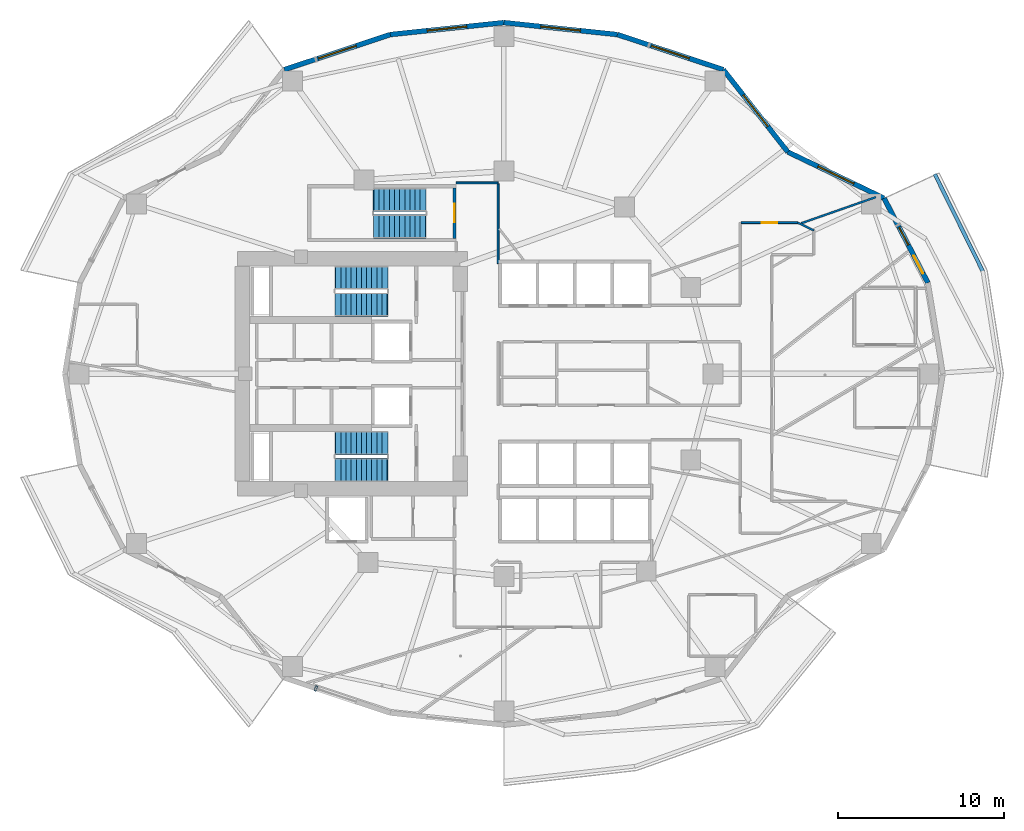
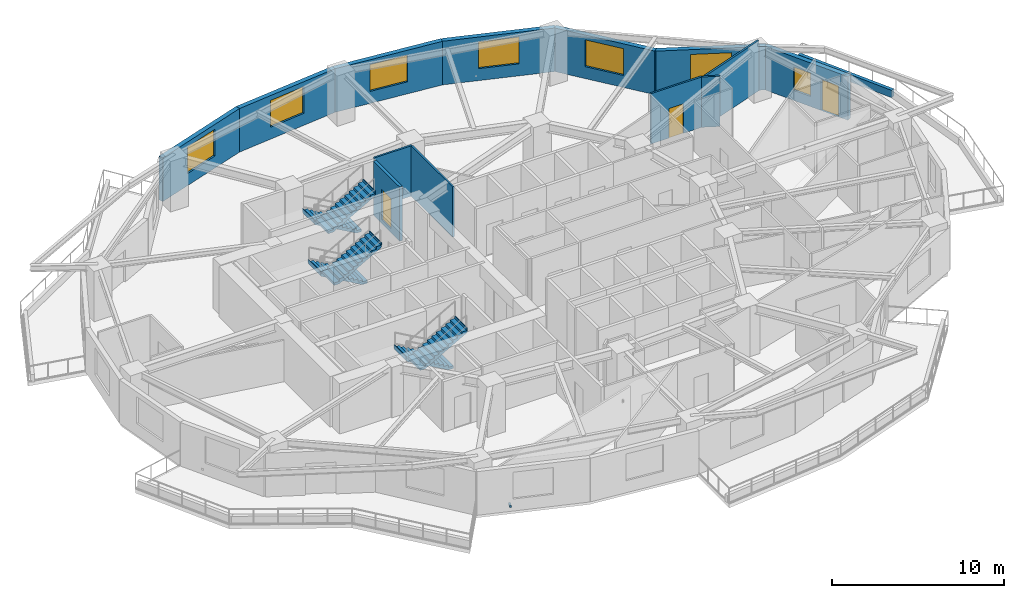
# One storey, part 7 of 15: 14 walls, 7 windows, 6 stair flights, 3 doors, 1 discrete accessory, 10 openings, 3 elements without a shape of their own.
"""IFC4 building model written with IfcOpenShell, lengths in metres."""

import ifcopenshell
import ifcopenshell.guid

model = None  # the IFC model being written
_history = None  # IfcOwnerHistory: only IFC2X3 demands one
_inside = {}  # id of a spatial element -> (the spatial element, [elements in it])
_under = {}  # id of a project, library or spatial element -> (it, [spatial elements below it])
_declared = {}  # id of a project -> (the project, [libraries it declares])
_typed = {}  # id of a type object -> (the type object, [elements of that type])
_made_of = {}  # id of a material, layer set ... -> (it, [elements and type objects made of it])


def new_model(schema):
    """Start an empty IFC model of exactly this schema.

    Asked for "IFC4X3", IfcOpenShell would pick the latest addendum, in which some entities
    have other attributes; the version numbers below select the first issue.
    IFC2X3 requires an IfcOwnerHistory on every rooted entity: one is made here for all.
    """
    global model, _history
    if schema == "IFC4X3":
        model = ifcopenshell.file(schema_version=(4, 3, 0, 0))
    else:
        model = ifcopenshell.file(schema=schema)
    _inside.clear()
    _under.clear()
    _declared.clear()
    _typed.clear()
    _made_of.clear()
    _history = None
    if model.schema == "IFC2X3":
        org = make("IfcOrganization", Name="unknown")
        user = make(
            "IfcPersonAndOrganization",
            ThePerson=make("IfcPerson", FamilyName="unknown"),
            TheOrganization=org,
        )
        app = make(
            "IfcApplication",
            ApplicationDeveloper=org,
            Version="unknown",
            ApplicationFullName="unknown",
            ApplicationIdentifier="unknown",
        )
        _history = make(
            "IfcOwnerHistory",
            OwningUser=user,
            OwningApplication=app,
            ChangeAction="ADDED",
            CreationDate=0,
        )
    return model


def make(cls, **values):
    """One entity of the class cls with the attributes given. An attribute that is None is left unset."""
    return model.create_entity(
        cls, **{name: value for name, value in values.items() if value is not None}
    )


def rooted(cls, **values):
    """An entity with a GlobalId (a new one), such as an element, a storey or a relation."""
    return make(cls, GlobalId=ifcopenshell.guid.new(), OwnerHistory=_history, **values)


def si_unit(unit_type, name, prefix=None):
    """IfcSIUnit, for example si_unit("LENGTHUNIT", "METRE", prefix="MILLI")."""
    return make("IfcSIUnit", UnitType=unit_type, Prefix=prefix, Name=name)


def assignment(units):
    """IfcUnitAssignment: the units of a project."""
    return None if units is None else make("IfcUnitAssignment", Units=units)


def point(xyz):
    """IfcCartesianPoint."""
    return None if xyz is None else make("IfcCartesianPoint", Coordinates=xyz)


def direction(xyz):
    """IfcDirection."""
    return None if xyz is None else make("IfcDirection", DirectionRatios=xyz)


def frame(location, z_axis=None, x_axis=None):
    """IfcAxis2Placement3D, a coordinate frame: its origin and axes. An axis left out is left unset."""
    return make(
        "IfcAxis2Placement3D",
        Location=point(location),
        Axis=direction(z_axis),
        RefDirection=direction(x_axis),
    )


def frame_2d(location, x_axis=None):
    """IfcAxis2Placement2D, a coordinate frame in the plane: its origin and x axis."""
    return make(
        "IfcAxis2Placement2D", Location=point(location), RefDirection=direction(x_axis)
    )


def origin():
    """The frame at (0, 0, 0) with its axes left unset."""
    return frame((0.0, 0.0, 0.0))


def origin_2d():
    """The frame at (0, 0) in the plane with its x axis left unset."""
    return frame_2d((0.0, 0.0))


def place(relative_to, where):
    """IfcLocalPlacement: puts the frame where relative to a parent placement (None: the world)."""
    return make(
        "IfcLocalPlacement", PlacementRelTo=relative_to, RelativePlacement=where
    )


def context(
    kind, dimensions, precision=None, world=None, true_north=None, identifier=None
):
    """IfcGeometricRepresentationContext, for example the 3D "Model" context."""
    return make(
        "IfcGeometricRepresentationContext",
        ContextIdentifier=identifier,
        ContextType=kind,
        CoordinateSpaceDimension=dimensions,
        Precision=precision,
        WorldCoordinateSystem=world,
        TrueNorth=true_north,
    )


def subcontext(parent, identifier, kind, view, scale=None):
    """IfcGeometricRepresentationSubContext, for example "Body" below "Model"."""
    return make(
        "IfcGeometricRepresentationSubContext",
        ContextIdentifier=identifier,
        ContextType=kind,
        ParentContext=parent,
        TargetScale=scale,
        TargetView=view,
    )


def project(units=None, contexts=None):
    """IfcProject with its units and contexts."""
    return rooted(
        "IfcProject",
        Name="project",
        RepresentationContexts=contexts,
        UnitsInContext=assignment(units),
    )


def spatial(cls, under=None, at=None, **own):
    """A site, building, storey or space (cls), placed at a placement, below another one or the project."""
    s = rooted(cls, ObjectPlacement=at, **own)
    if under is not None:
        _under.setdefault(under.id(), (under, []))[1].append(s)
    return s


def polyline(points):
    """IfcPolyline through the points."""
    return make("IfcPolyline", Points=[point(p) for p in points])


def profile(cls, at=None, kind="AREA", **sizes):
    """A parametric profile (cls). Its sizes go by their IFC names, for example OverallWidth=200.0."""
    return make(cls, ProfileType=kind, Position=at, **sizes)


def rectangle(**sizes):
    """IfcRectangleProfileDef."""
    return profile("IfcRectangleProfileDef", **sizes)


def outline(outer, holes=None, kind="AREA"):
    """IfcArbitraryClosedProfileDef: a profile drawn as a closed curve; with holes, ...WithVoids."""
    if holes is None:
        return make("IfcArbitraryClosedProfileDef", ProfileType=kind, OuterCurve=outer)
    return make(
        "IfcArbitraryProfileDefWithVoids",
        ProfileType=kind,
        OuterCurve=outer,
        InnerCurves=holes,
    )


def extrude(swept, where, along, depth):
    """IfcExtrudedAreaSolid: the profile swept, set in the frame where, extruded along a direction by depth."""
    return make(
        "IfcExtrudedAreaSolid",
        SweptArea=swept,
        Position=where,
        ExtrudedDirection=direction(along),
        Depth=depth,
    )


def shape(context_of_items, identifier, shape_type, items):
    """IfcShapeRepresentation: the items that make up one representation, for example the "Body"."""
    return make(
        "IfcShapeRepresentation",
        ContextOfItems=context_of_items,
        RepresentationIdentifier=identifier,
        RepresentationType=shape_type,
        Items=items,
    )


def material(Name=None, Category=None):
    """IfcMaterial."""
    return make("IfcMaterial", Name=Name, Category=Category)


def layer(
    of_material, thickness, ventilated=None, Name=None, Category=None, Priority=None
):
    """IfcMaterialLayer: one layer of a wall or slab, of a material (None: an air gap)."""
    return make(
        "IfcMaterialLayer",
        Material=of_material,
        LayerThickness=thickness,
        IsVentilated=ventilated,
        Name=Name,
        Category=Category,
        Priority=Priority,
    )


def layer_set(layers, Name=None):
    """IfcMaterialLayerSet."""
    return make("IfcMaterialLayerSet", MaterialLayers=layers, LayerSetName=Name)


def made_of(thing, what):
    """Note that an element or type object is made of a material, layer set ...; save() writes the relation."""
    if what is not None:
        _made_of.setdefault(what.id(), (what, []))[1].append(thing)
    return thing


def type_object(cls, material=None, **own):
    """A type object (cls), such as IfcWallType, which elements share."""
    return made_of(rooted(cls, **own), material)


def element(
    cls,
    number,
    at=None,
    inside=None,
    cuts=None,
    type_object=None,
    material=None,
    context=None,
    identifier="Body",
    shape_type=None,
    held_by="IfcProductDefinitionShape",
    body=None,
    shapes=None,
    **own,
):
    """One element of the class cls, such as IfcWall. Its Tag is "e" and its number.

    at: its placement. inside: the storey or other place that contains it. cuts: it is an
    opening in that element (IfcRelVoidsElement). A single representation is given by context,
    identifier, shape_type and body (its items); several are given by shapes. held_by: the class
    of the entity that holds the representations. save() writes the other relations.
    """
    e = rooted(cls, Tag="e%d" % number, ObjectPlacement=at, **own)
    if body is not None:
        shapes = [shape(context, identifier, shape_type, body)]
    if shapes is not None:
        e.Representation = make(held_by, Representations=shapes)
    if inside is not None:
        _inside.setdefault(inside.id(), (inside, []))[1].append(e)
    if cuts is not None:
        rooted(
            "IfcRelVoidsElement", RelatingBuildingElement=cuts, RelatedOpeningElement=e
        )
    if type_object is not None:
        _typed.setdefault(type_object.id(), (type_object, []))[1].append(e)
    return made_of(e, material)


def fill(opening, filler):
    """IfcRelFillsElement: the door or window that sits in an opening."""
    return rooted(
        "IfcRelFillsElement",
        RelatingOpeningElement=opening,
        RelatedBuildingElement=filler,
    )


def aggregate(whole, parts):
    """IfcRelAggregates: a whole, such as a stair, and the parts it consists of."""
    return rooted("IfcRelAggregates", RelatingObject=whole, RelatedObjects=parts)


def save(model, path):
    """Write the relations noted so far, then the file.

    IfcRelAggregates (storeys below a building ...), IfcRelContainedInSpatialStructure (elements
    in a storey), IfcRelDefinesByType, IfcRelAssociatesMaterial and IfcRelDeclares: one each for
    every whole, place, type object, material and project.
    """
    for whole, parts in _under.values():
        aggregate(whole, parts)
    for where, things in _inside.values():
        rooted(
            "IfcRelContainedInSpatialStructure",
            RelatedElements=things,
            RelatingStructure=where,
        )
    for kind, things in _typed.values():
        rooted("IfcRelDefinesByType", RelatedObjects=things, RelatingType=kind)
    for what, things in _made_of.values():
        rooted("IfcRelAssociatesMaterial", RelatedObjects=things, RelatingMaterial=what)
    for by, libraries in _declared.values():
        rooted("IfcRelDeclares", RelatingContext=by, RelatedDefinitions=libraries)
    model.write(path)


model = new_model("IFC4")

# Units and contexts
model_context = context("Model", 3, precision=1e-05, world=origin(), true_north=direction((0.0, 1.0)))
body_context = subcontext(model_context, "Body", "Model", "MODEL_VIEW")
ifc_project = project(units=[si_unit("LENGTHUNIT", "METRE"), si_unit("AREAUNIT", "SQUARE_METRE"), si_unit("VOLUMEUNIT", "CUBIC_METRE"), si_unit("PLANEANGLEUNIT", "RADIAN"), si_unit("MASSUNIT", "GRAM", prefix="KILO")], contexts=[model_context])

# Site, building, storey
site_placement = place(None, origin())
site = spatial("IfcSite", under=ifc_project, at=site_placement, CompositionType="ELEMENT")
building_placement = place(site_placement, origin())
building = spatial("IfcBuilding", under=site, at=building_placement, Name="Kolvaren Gate Tower and Convention Centre", CompositionType="ELEMENT")
storey_placement = place(building_placement, frame((0.0, 0.0, 72.699951171875)))
storey = spatial("IfcBuildingStorey", under=building, at=storey_placement, Name="L17", CompositionType="ELEMENT", Elevation=72.699951171875)

# Walls
ifc_material_1 = material(Name="Fire-Rated Acoustic Gypsum Stud Partition", Category="gypsum")
ifc_layer_1 = layer(ifc_material_1, 0.1201171875)
ifc_layer_set_1 = layer_set([ifc_layer_1], Name="Fire-Rated Acoustic Gypsum Stud Partition")
wall_type_1 = type_object("IfcWallType", Name="ARCH-WL-PART-120", PredefinedType="PARTITIONING", material=ifc_layer_set_1)
wall_1_placement = place(storey_placement, frame((27.25, 38.5, 0.0), z_axis=(0.0, 0.0, 1.0), x_axis=(1.0, 0.0, 0.0)))
element("IfcWall", 1, at=wall_1_placement, inside=storey, type_object=wall_type_1, Name="Interior Partition WL-L17-INT-027", PredefinedType="PARTITIONING", context=body_context, shape_type="SweptSolid", body=[
    extrude(rectangle(XDim=2.530029296875, YDim=0.1201171875, at=frame_2d((1.26513671875, 0.0))), origin(), (0.0, 0.0, 1.0), 3.570068359375),
])
wall_2_placement = place(storey_placement, frame((29.780029296875, 33.639892578125, 0.0), z_axis=(0.0, 0.0, 1.0), x_axis=(0.0, 1.0, 0.0)))
element("IfcWall", 2, at=wall_2_placement, inside=storey, type_object=wall_type_1, Name="Interior Partition WL-L17-INT-030", PredefinedType="PARTITIONING", context=body_context, shape_type="SweptSolid", body=[
    extrude(rectangle(XDim=4.798095703125, YDim=0.1201171875, at=frame_2d((2.39892578125, 0.0))), origin(), (0.0, 0.0, 1.0), 3.570068359375),
])

# Wall, opening, door
wall_3_placement = place(storey_placement, frame((44.412109375, 36.10009765625, 0.0), z_axis=(0.0, 0.0, 1.0), x_axis=(1.0, 0.0, 0.0)))
wall_3 = element("IfcWall", 3, at=wall_3_placement, inside=storey, type_object=wall_type_1, Name="Interior Partition WL-L17-INT-035", PredefinedType="PARTITIONING", context=body_context, shape_type="SweptSolid", body=[
    extrude(rectangle(XDim=3.411865234375, YDim=0.1201171875, at=frame_2d((1.7060546875, 0.0))), origin(), (0.0, 0.0, 1.0), 3.570068359375),
])
opening_1_placement = place(wall_3_placement, frame((1.23095703125, 0.0, 0.0)))
opening_1 = element("IfcOpeningElement", 4, at=opening_1_placement, cuts=wall_3, Name="Opening DR-01", PredefinedType="OPENING", context=body_context, shape_type="SweptSolid", body=[
    extrude(rectangle(XDim=0.949951171875, YDim=2.10009765625, at=frame_2d((0.47509765625, 1.050048828125))), frame((0.0, 0.070068359375, 0.0), z_axis=(0.0, -1.0, 0.0), x_axis=(1.0, 0.0, 0.0)), (0.0, 0.0, 1.0), 0.14013671875),
])
ifc_material_2 = material(Name="Painted Architectural Steelwork ASTM A500 Grade C 345 MPa", Category="steel")
door_type_1 = type_object("IfcDoorType", Name="ARCH-DR-RISER-950", OperationType="SINGLE_SWING_RIGHT", PredefinedType="DOOR", material=ifc_material_2)
door_1_placement = place(opening_1_placement, origin())
door_1 = element("IfcDoor", 5, at=door_1_placement, inside=storey, type_object=door_type_1, Name="Open-Plan Office Suite Door", OperationType="SINGLE_SWING_RIGHT", OverallHeight=2.10009765625, OverallWidth=0.949951171875, PredefinedType="DOOR", context=body_context, shape_type="SweptSolid", body=[
    extrude(rectangle(XDim=0.949951171875, YDim=2.10009765625, at=frame_2d((0.47509765625, 1.050048828125))), frame((0.0, 0.02490234375, 0.0), z_axis=(0.0, -1.0, 0.0), x_axis=(1.0, 0.0, 0.0)), (0.0, 0.0, 1.0), 0.050048828125),
])
fill(opening_1, door_1)

# Walls
wall_4_placement = place(storey_placement, frame((47.823974609375, 36.10009765625, 0.0), z_axis=(0.0, 0.0, 1.0), x_axis=(0.901350599951, -0.433090170712, 0.0)))
element("IfcWall", 6, at=wall_4_placement, inside=storey, type_object=wall_type_1, Name="Interior Partition WL-L17-INT-036", PredefinedType="PARTITIONING", context=body_context, shape_type="SweptSolid", body=[
    extrude(rectangle(XDim=1.0830078125, YDim=0.1201171875, at=frame_2d((0.54150390625, 0.0))), origin(), (0.0, 0.0, 1.0), 3.570068359375),
])
wall_5_placement = place(storey_placement, frame((48.037841796875, 36.06591796875, 0.0), z_axis=(0.0, 0.0, 1.0), x_axis=(0.943787214576, 0.330553616836, 0.0)))
element("IfcWall", 7, at=wall_5_placement, inside=storey, type_object=wall_type_1, Name="Interior Partition WL-L17-INT-072", PredefinedType="PARTITIONING", context=body_context, shape_type="SweptSolid", body=[
    extrude(rectangle(XDim=4.76318359375, YDim=0.1201171875, at=frame_2d((2.381591796875, 0.0))), origin(), (0.0, 0.0, 1.0), 3.570068359375),
])
ifc_material_3 = material(Name="Piedmont Cream Honed Limestone Cladding", Category="masonry")
ifc_layer_2 = layer(ifc_material_3, 0.219970703125)
ifc_layer_set_2 = layer_set([ifc_layer_2], Name="Piedmont Cream Honed Limestone Cladding")
wall_type_2 = type_object("IfcWallType", Name="ARCH-WL-PLANTER-220", PredefinedType="PARAPET", material=ifc_layer_set_2)
wall_6_placement = place(storey_placement, frame((56.077392578125, 39.021484375, 0.0), z_axis=(0.0, 0.0, 1.0), x_axis=(0.442686636348, -0.89667638644, 0.0)))
element("IfcWall", 8, at=wall_6_placement, inside=storey, type_object=wall_type_2, Name="Vertical-Forest Balcony Stone Planter Kerb PK-L17-4.3", PredefinedType="PARAPET", context=body_context, shape_type="SweptSolid", body=[
    extrude(rectangle(XDim=6.544677734375, YDim=0.219970703125, at=frame_2d((3.2724609375, 0.0))), origin(), (0.0, 0.0, 1.0), 0.52001953125),
])

# Wall, openings, door, window
ifc_layer_3 = layer(ifc_material_3, 0.300048828125)
ifc_layer_set_3 = layer_set([ifc_layer_3], Name="Piedmont Cream Honed Limestone Cladding")
wall_type_3 = type_object("IfcWallType", Name="ARCH-WL-STONE-300", PredefinedType="SOLIDWALL", material=ifc_layer_set_3)
wall_7_placement = place(storey_placement, frame((53.0205078125, 37.574951171875, 0.0), z_axis=(0.0, 0.0, 1.0), x_axis=(0.459800981414, -0.888021991558, 0.0)))
wall_7 = element("IfcWall", 9, at=wall_7_placement, inside=storey, type_object=wall_type_3, Name="Tower L17 Honed Stone Spandrel Wall EW-01", PredefinedType="SOLIDWALL", context=body_context, shape_type="SweptSolid", body=[
    extrude(rectangle(XDim=5.744140625, YDim=0.300048828125, at=frame_2d((2.8720703125, 0.0))), origin(), (0.0, 0.0, 1.0), 3.093017578125),
])
opening_2_placement = place(wall_7_placement, frame((3.89990234375, 0.0, 0.0)))
opening_2 = element("IfcOpeningElement", 10, at=opening_2_placement, cuts=wall_7, Name="Opening DB-02", PredefinedType="OPENING", context=body_context, shape_type="SweptSolid", body=[
    extrude(rectangle(XDim=1.199951171875, YDim=2.199951171875, at=frame_2d((0.60009765625, 1.10009765625))), frame((0.0, 0.159912109375, 0.0), z_axis=(0.0, -1.0, 0.0), x_axis=(1.0, 0.0, 0.0)), (0.0, 0.0, 1.0), 0.320068359375),
])
opening_3_placement = place(wall_7_placement, frame((1.97998046875, 0.0, 0.719970703125)))
opening_3 = element("IfcOpeningElement", 11, at=opening_3_placement, cuts=wall_7, Name="Opening W-04", PredefinedType="OPENING", context=body_context, shape_type="SweptSolid", body=[
    extrude(rectangle(XDim=1.199951171875, YDim=1.64990234375, at=frame_2d((0.60009765625, 0.824951171875))), frame((0.0, 0.159912109375, 0.0), z_axis=(0.0, -1.0, 0.0), x_axis=(1.0, 0.0, 0.0)), (0.0, 0.0, 1.0), 0.320068359375),
])
ifc_material_4 = material(Name="Anodized Architectural Aluminium Alloy 6063-T6", Category="aluminium")
door_type_2 = type_object("IfcDoorType", Name="ARCH-DR-BALC-1200", OperationType="NOTDEFINED", PredefinedType="DOOR", material=ifc_material_4)
door_2_placement = place(opening_2_placement, origin())
door_2 = element("IfcDoor", 12, at=door_2_placement, inside=storey, type_object=door_type_2, Name="Planted Sky Terrace Access Door DB-L17-00", OperationType="SLIDING_TO_LEFT", OverallHeight=2.199951171875, OverallWidth=1.199951171875, PredefinedType="DOOR", context=body_context, shape_type="SweptSolid", body=[
    extrude(rectangle(XDim=1.199951171875, YDim=2.199951171875, at=frame_2d((0.60009765625, 1.10009765625))), frame((0.0, 0.02490234375, 0.0), z_axis=(0.0, -1.0, 0.0), x_axis=(1.0, 0.0, 0.0)), (0.0, 0.0, 1.0), 0.050048828125),
])
fill(opening_2, door_2)
ifc_material_5 = material(Name="Low-E Triple Insulated Glazing Unit 44 mm", Category="glass")
window_type_1 = type_object("IfcWindowType", Name="ARCH-WN-NARROW-1200", PartitioningType="SINGLE_PANEL", PredefinedType="WINDOW", material=ifc_material_5)
window_1_placement = place(opening_3_placement, origin())
window_1 = element("IfcWindow", 13, at=window_1_placement, inside=storey, type_object=window_type_1, Name="Tower L17 Punched Stone Facade Window W-01", OverallHeight=1.64990234375, OverallWidth=1.199951171875, PartitioningType="SINGLE_PANEL", PredefinedType="WINDOW", context=body_context, shape_type="SweptSolid", body=[
    extrude(rectangle(XDim=1.199951171875, YDim=1.64990234375, at=frame_2d((0.60009765625, 0.824951171875))), frame((0.0, 0.030029296875, 0.0), z_axis=(0.0, -1.0, 0.0), x_axis=(1.0, 0.0, 0.0)), (0.0, 0.0, 1.0), 0.06005859375),
])
fill(opening_3, window_1)

# Wall, opening, window
wall_8_placement = place(storey_placement, frame((47.223876953125, 40.360107421875, 0.0), z_axis=(0.0, 0.0, 1.0), x_axis=(0.901354747727, -0.433081538224, 0.0)))
wall_8 = element("IfcWall", 14, at=wall_8_placement, inside=storey, type_object=wall_type_3, Name="Tower L17 Honed Stone Spandrel Wall EW-02", PredefinedType="SOLIDWALL", context=body_context, shape_type="SweptSolid", body=[
    extrude(rectangle(XDim=6.430908203125, YDim=0.300048828125, at=frame_2d((3.21533203125, 0.0))), origin(), (0.0, 0.0, 1.0), 3.093017578125),
])
opening_4_placement = place(wall_8_placement, frame((2.014892578125, 0.0, 0.85009765625)))
opening_4 = element("IfcOpeningElement", 15, at=opening_4_placement, cuts=wall_8, Name="Opening W-01", PredefinedType="OPENING", context=body_context, shape_type="SweptSolid", body=[
    extrude(rectangle(XDim=2.39990234375, YDim=1.89990234375, at=frame_2d((1.199951171875, 0.949951171875))), frame((0.0, 0.159912109375, 0.0), z_axis=(0.0, -1.0, 0.0), x_axis=(1.0, 0.0, 0.0)), (0.0, 0.0, 1.0), 0.320068359375),
])
window_type_2 = type_object("IfcWindowType", Name="ARCH-WN-OFF-2400", PartitioningType="SINGLE_PANEL", PredefinedType="WINDOW", material=ifc_material_5)
window_2_placement = place(opening_4_placement, origin())
window_2 = element("IfcWindow", 16, at=window_2_placement, inside=storey, type_object=window_type_2, Name="Tower L17 Punched Stone Facade Window W-02", OverallHeight=1.89990234375, OverallWidth=2.39990234375, PartitioningType="SINGLE_PANEL", PredefinedType="WINDOW", context=body_context, shape_type="SweptSolid", body=[
    extrude(rectangle(XDim=2.39990234375, YDim=1.89990234375, at=frame_2d((1.199951171875, 0.949951171875))), frame((0.0, 0.030029296875, 0.0), z_axis=(0.0, -1.0, 0.0), x_axis=(1.0, 0.0, 0.0)), (0.0, 0.0, 1.0), 0.06005859375),
])
fill(opening_4, window_2)

wall_9_placement = place(storey_placement, frame((43.34375, 45.31640625, 0.0), z_axis=(0.0, 0.0, 1.0), x_axis=(0.616434798832, -0.78740595552, 0.0)))
wall_9 = element("IfcWall", 17, at=wall_9_placement, inside=storey, type_object=wall_type_3, Name="Tower L17 Honed Stone Spandrel Wall EW-03", PredefinedType="SOLIDWALL", context=body_context, shape_type="SweptSolid", body=[
    extrude(rectangle(XDim=6.29443359375, YDim=0.300048828125, at=frame_2d((3.147216796875, 0.0))), origin(), (0.0, 0.0, 1.0), 3.093017578125),
])
opening_5_placement = place(wall_9_placement, frame((1.947021484375, 0.0, 0.85009765625)))
opening_5 = element("IfcOpeningElement", 18, at=opening_5_placement, cuts=wall_9, Name="Opening W-01", PredefinedType="OPENING", context=body_context, shape_type="SweptSolid", body=[
    extrude(rectangle(XDim=2.39990234375, YDim=1.89990234375, at=frame_2d((1.199951171875, 0.949951171875))), frame((0.0, 0.159912109375, 0.0), z_axis=(0.0, -1.0, 0.0), x_axis=(1.0, 0.0, 0.0)), (0.0, 0.0, 1.0), 0.320068359375),
])
window_3_placement = place(opening_5_placement, origin())
window_3 = element("IfcWindow", 19, at=window_3_placement, inside=storey, type_object=window_type_2, Name="Tower L17 Punched Stone Facade Window W-03", OverallHeight=1.89990234375, OverallWidth=2.39990234375, PartitioningType="SINGLE_PANEL", PredefinedType="WINDOW", context=body_context, shape_type="SweptSolid", body=[
    extrude(rectangle(XDim=2.39990234375, YDim=1.89990234375, at=frame_2d((1.199951171875, 0.949951171875))), frame((0.0, 0.030029296875, 0.0), z_axis=(0.0, -1.0, 0.0), x_axis=(1.0, 0.0, 0.0)), (0.0, 0.0, 1.0), 0.06005859375),
])
fill(opening_5, window_3)

wall_10_placement = place(storey_placement, frame((36.967529296875, 47.42919921875, 0.0), z_axis=(0.0, 0.0, 1.0), x_axis=(0.949245153629, -0.314537181127, 0.0)))
wall_10 = element("IfcWall", 20, at=wall_10_placement, inside=storey, type_object=wall_type_3, Name="Tower L17 Honed Stone Spandrel Wall EW-04", PredefinedType="SOLIDWALL", context=body_context, shape_type="SweptSolid", body=[
    extrude(rectangle(XDim=6.717041015625, YDim=0.300048828125, at=frame_2d((3.3583984375, 0.0))), origin(), (0.0, 0.0, 1.0), 3.093017578125),
])
opening_6_placement = place(wall_10_placement, frame((2.158935546875, 0.0, 0.85009765625)))
opening_6 = element("IfcOpeningElement", 21, at=opening_6_placement, cuts=wall_10, Name="Opening W-01", PredefinedType="OPENING", context=body_context, shape_type="SweptSolid", body=[
    extrude(rectangle(XDim=2.39990234375, YDim=1.89990234375, at=frame_2d((1.199951171875, 0.949951171875))), frame((0.0, 0.159912109375, 0.0), z_axis=(0.0, -1.0, 0.0), x_axis=(1.0, 0.0, 0.0)), (0.0, 0.0, 1.0), 0.320068359375),
])
window_4_placement = place(opening_6_placement, origin())
window_4 = element("IfcWindow", 22, at=window_4_placement, inside=storey, type_object=window_type_2, Name="Tower L17 Punched Stone Facade Window W-04", OverallHeight=1.89990234375, OverallWidth=2.39990234375, PartitioningType="SINGLE_PANEL", PredefinedType="WINDOW", context=body_context, shape_type="SweptSolid", body=[
    extrude(rectangle(XDim=2.39990234375, YDim=1.89990234375, at=frame_2d((1.199951171875, 0.949951171875))), frame((0.0, 0.030029296875, 0.0), z_axis=(0.0, -1.0, 0.0), x_axis=(1.0, 0.0, 0.0)), (0.0, 0.0, 1.0), 0.06005859375),
])
fill(opening_6, window_4)

wall_11_placement = place(storey_placement, frame((30.125, 48.14990234375, 0.0), z_axis=(0.0, 0.0, 1.0), x_axis=(0.994498840295, -0.104747585419, 0.0)))
wall_11 = element("IfcWall", 23, at=wall_11_placement, inside=storey, type_object=wall_type_3, Name="Tower L17 Honed Stone Spandrel Wall EW-05", PredefinedType="SOLIDWALL", context=body_context, shape_type="SweptSolid", body=[
    extrude(rectangle(XDim=6.88037109375, YDim=0.300048828125, at=frame_2d((3.440185546875, 0.0))), origin(), (0.0, 0.0, 1.0), 3.093017578125),
])
opening_7_placement = place(wall_11_placement, frame((2.239990234375, 0.0, 0.85009765625)))
opening_7 = element("IfcOpeningElement", 24, at=opening_7_placement, cuts=wall_11, Name="Opening W-01", PredefinedType="OPENING", context=body_context, shape_type="SweptSolid", body=[
    extrude(rectangle(XDim=2.39990234375, YDim=1.89990234375, at=frame_2d((1.199951171875, 0.949951171875))), frame((0.0, 0.159912109375, 0.0), z_axis=(0.0, -1.0, 0.0), x_axis=(1.0, 0.0, 0.0)), (0.0, 0.0, 1.0), 0.320068359375),
])
window_5_placement = place(opening_7_placement, origin())
window_5 = element("IfcWindow", 25, at=window_5_placement, inside=storey, type_object=window_type_2, Name="Tower L17 Punched Stone Facade Window W-05", OverallHeight=1.89990234375, OverallWidth=2.39990234375, PartitioningType="SINGLE_PANEL", PredefinedType="WINDOW", context=body_context, shape_type="SweptSolid", body=[
    extrude(rectangle(XDim=2.39990234375, YDim=1.89990234375, at=frame_2d((1.199951171875, 0.949951171875))), frame((0.0, 0.030029296875, 0.0), z_axis=(0.0, -1.0, 0.0), x_axis=(1.0, 0.0, 0.0)), (0.0, 0.0, 1.0), 0.06005859375),
])
fill(opening_7, window_5)

wall_12_placement = place(storey_placement, frame((23.282470703125, 47.42919921875, 0.0), z_axis=(0.0, 0.0, 1.0), x_axis=(0.994498840295, 0.104747585419, 0.0)))
wall_12 = element("IfcWall", 26, at=wall_12_placement, inside=storey, type_object=wall_type_3, Name="Tower L17 Honed Stone Spandrel Wall EW-06", PredefinedType="SOLIDWALL", context=body_context, shape_type="SweptSolid", body=[
    extrude(rectangle(XDim=6.88037109375, YDim=0.300048828125, at=frame_2d((3.440185546875, 0.0))), origin(), (0.0, 0.0, 1.0), 3.093017578125),
])
opening_8_placement = place(wall_12_placement, frame((2.239990234375, 0.0, 0.85009765625)))
opening_8 = element("IfcOpeningElement", 27, at=opening_8_placement, cuts=wall_12, Name="Opening W-01", PredefinedType="OPENING", context=body_context, shape_type="SweptSolid", body=[
    extrude(rectangle(XDim=2.39990234375, YDim=1.89990234375, at=frame_2d((1.199951171875, 0.949951171875))), frame((0.0, 0.159912109375, 0.0), z_axis=(0.0, -1.0, 0.0), x_axis=(1.0, 0.0, 0.0)), (0.0, 0.0, 1.0), 0.320068359375),
])
window_6_placement = place(opening_8_placement, origin())
window_6 = element("IfcWindow", 28, at=window_6_placement, inside=storey, type_object=window_type_2, Name="Tower L17 Punched Stone Facade Window W-06", OverallHeight=1.89990234375, OverallWidth=2.39990234375, PartitioningType="SINGLE_PANEL", PredefinedType="WINDOW", context=body_context, shape_type="SweptSolid", body=[
    extrude(rectangle(XDim=2.39990234375, YDim=1.89990234375, at=frame_2d((1.199951171875, 0.949951171875))), frame((0.0, 0.030029296875, 0.0), z_axis=(0.0, -1.0, 0.0), x_axis=(1.0, 0.0, 0.0)), (0.0, 0.0, 1.0), 0.06005859375),
])
fill(opening_8, window_6)

wall_13_placement = place(storey_placement, frame((16.90625, 45.31640625, 0.0), z_axis=(0.0, 0.0, 1.0), x_axis=(0.949245153629, 0.314537181127, 0.0)))
wall_13 = element("IfcWall", 29, at=wall_13_placement, inside=storey, type_object=wall_type_3, Name="Tower L17 Honed Stone Spandrel Wall EW-07", PredefinedType="SOLIDWALL", context=body_context, shape_type="SweptSolid", body=[
    extrude(rectangle(XDim=6.717041015625, YDim=0.300048828125, at=frame_2d((3.3583984375, 0.0))), origin(), (0.0, 0.0, 1.0), 3.093017578125),
])
opening_9_placement = place(wall_13_placement, frame((2.158935546875, 0.0, 0.85009765625)))
opening_9 = element("IfcOpeningElement", 30, at=opening_9_placement, cuts=wall_13, Name="Opening W-01", PredefinedType="OPENING", context=body_context, shape_type="SweptSolid", body=[
    extrude(rectangle(XDim=2.39990234375, YDim=1.89990234375, at=frame_2d((1.199951171875, 0.949951171875))), frame((0.0, 0.159912109375, 0.0), z_axis=(0.0, -1.0, 0.0), x_axis=(1.0, 0.0, 0.0)), (0.0, 0.0, 1.0), 0.320068359375),
])
window_7_placement = place(opening_9_placement, origin())
window_7 = element("IfcWindow", 31, at=window_7_placement, inside=storey, type_object=window_type_2, Name="Tower L17 Punched Stone Facade Window W-07", OverallHeight=1.89990234375, OverallWidth=2.39990234375, PartitioningType="SINGLE_PANEL", PredefinedType="WINDOW", context=body_context, shape_type="SweptSolid", body=[
    extrude(rectangle(XDim=2.39990234375, YDim=1.89990234375, at=frame_2d((1.199951171875, 0.949951171875))), frame((0.0, 0.030029296875, 0.0), z_axis=(0.0, -1.0, 0.0), x_axis=(1.0, 0.0, 0.0)), (0.0, 0.0, 1.0), 0.06005859375),
])
fill(opening_9, window_7)

# Wall, opening, door
ifc_material_6 = material(Name="Concrete C50/60", Category="concrete")
ifc_layer_4 = layer(ifc_material_6, 0.199951171875)
ifc_layer_set_4 = layer_set([ifc_layer_4], Name="Concrete C50/60")
wall_type_4 = type_object("IfcWallType", Name="STR-WL-SHAFT-200", PredefinedType="SHEAR", material=ifc_layer_set_4)
wall_14_placement = place(storey_placement, frame((27.14990234375, 35.159912109375, -0.280029296875), z_axis=(0.0, 0.0, 1.0), x_axis=(0.0, 1.0, 0.0)))
wall_14 = element("IfcWall", 32, at=wall_14_placement, inside=storey, type_object=wall_type_4, Name="Tower Mid-Zone Exit Stair ST-T3 L17 Structural Shear Enclosure Wall NEAR", PredefinedType="SHEAR", context=body_context, shape_type="SweptSolid", body=[
    extrude(rectangle(XDim=3.0400390625, YDim=0.199951171875, at=frame_2d((1.52001953125, 0.0))), origin(), (0.0, 0.0, 1.0), 3.85009765625),
])
opening_10_placement = place(wall_14_placement, frame((0.969970703125, 0.0, 0.280029296875)))
opening_10 = element("IfcOpeningElement", 33, at=opening_10_placement, cuts=wall_14, Name="Opening DS-01", PredefinedType="OPENING", context=body_context, shape_type="SweptSolid", body=[
    extrude(rectangle(XDim=1.10009765625, YDim=2.14990234375, at=frame_2d((0.550048828125, 1.074951171875))), frame((0.0, 0.10986328125, 0.0), z_axis=(0.0, -1.0, 0.0), x_axis=(1.0, 0.0, 0.0)), (0.0, 0.0, 1.0), 0.219970703125),
])
door_type_3 = type_object("IfcDoorType", Name="ARCH-DR-STAIR-1100", OperationType="SINGLE_SWING_LEFT", PredefinedType="DOOR", material=ifc_material_2)
door_3_placement = place(opening_10_placement, origin())
door_3 = element("IfcDoor", 34, at=door_3_placement, inside=storey, type_object=door_type_3, Name="Tower Mid-Zone Exit Stair ST-T3 L17 Fire Exit Stair Door", OperationType="SINGLE_SWING_LEFT", OverallHeight=2.14990234375, OverallWidth=1.10009765625, PredefinedType="DOOR", context=body_context, shape_type="SweptSolid", body=[
    extrude(rectangle(XDim=1.10009765625, YDim=2.14990234375, at=frame_2d((0.550048828125, 1.074951171875))), frame((0.0, 0.02490234375, 0.0), z_axis=(0.0, -1.0, 0.0), x_axis=(1.0, 0.0, 0.0)), (0.0, 0.0, 1.0), 0.050048828125),
])
fill(opening_10, door_3)

# Stair, stair flights
stair_type = type_object("IfcStairType", Name="STR-STAIR-CORE", PredefinedType="HALF_TURN_STAIR", material=ifc_material_6)
stair_1_placement = place(storey_placement, origin())
stair_1 = element("IfcStair", 35, at=stair_1_placement, inside=storey, type_object=stair_type, Name="L17 Tower North Exit Stair ST-T1", PredefinedType="HALF_TURN_STAIR")
stair_flight_type = type_object("IfcStairFlightType", Name="STR-SFL-1420", PredefinedType="STRAIGHT", material=ifc_material_6)
stair_flight_1_placement = place(storey_placement, frame((23.10009765625, 32.7900390625, 0.0), z_axis=(0.0, 0.0, 1.0), x_axis=(-1.0, 0.0, 0.0)))
stair_flight_1 = element("IfcStairFlight", 36, at=stair_flight_1_placement, type_object=stair_flight_type, Name="ST-T1 flight 1", NumberOfRisers=11, NumberOfTreads=10, PredefinedType="STRAIGHT", RiserHeight=0.175, TreadLength=0.31, context=body_context, shape_type="SweptSolid", body=[
    extrude(outline(polyline([(-0.034912109375, 0.0), (-0.034912109375, 0.175048828125), (0.31005859375, 0.175048828125), (0.31005859375, 0.35009765625), (0.6201171875, 0.35009765625), (0.6201171875, 0.52490234375), (0.929931640625, 0.52490234375), (0.929931640625, 0.699951171875), (1.239990234375, 0.699951171875), (1.239990234375, 0.875), (1.550048828125, 0.875), (1.550048828125, 1.050048828125), (1.860107421875, 1.050048828125), (1.860107421875, 1.22509765625), (2.169921875, 1.22509765625), (2.169921875, 1.39990234375), (2.47998046875, 1.39990234375), (2.47998046875, 1.574951171875), (2.7900390625, 1.574951171875), (2.7900390625, 1.75), (3.10009765625, 1.75), (3.10009765625, 1.925048828125), (3.14501953125, 1.925048828125), (3.14501953125, 1.764892578125), (3.10009765625, 1.577880859375), (0.304931640625, 0.0), (-0.034912109375, 0.0)])), frame((0.0, 0.7099609375, 0.0), z_axis=(0.0, -1.0, 0.0), x_axis=(1.0, 0.0, 0.0)), (0.0, 0.0, 1.0), 1.419921875),
])
stair_flight_2_placement = place(storey_placement, frame((20.0, 31.169921875, 1.925048828125), z_axis=(0.0, 0.0, 1.0), x_axis=(1.0, 0.0, 0.0)))
stair_flight_2 = element("IfcStairFlight", 37, at=stair_flight_2_placement, type_object=stair_flight_type, Name="ST-T1 flight 2", NumberOfRisers=11, NumberOfTreads=10, PredefinedType="STRAIGHT", RiserHeight=0.175, TreadLength=0.31, context=body_context, shape_type="SweptSolid", body=[
    extrude(outline(polyline([(-0.034912109375, 0.0), (-0.034912109375, 0.175048828125), (0.31005859375, 0.175048828125), (0.31005859375, 0.35009765625), (0.6201171875, 0.35009765625), (0.6201171875, 0.52490234375), (0.929931640625, 0.52490234375), (0.929931640625, 0.699951171875), (1.239990234375, 0.699951171875), (1.239990234375, 0.875), (1.550048828125, 0.875), (1.550048828125, 1.050048828125), (1.860107421875, 1.050048828125), (1.860107421875, 1.22509765625), (2.169921875, 1.22509765625), (2.169921875, 1.39990234375), (2.47998046875, 1.39990234375), (2.47998046875, 1.574951171875), (2.7900390625, 1.574951171875), (2.7900390625, 1.75), (3.10009765625, 1.75), (3.10009765625, 1.925048828125), (3.14501953125, 1.925048828125), (3.14501953125, 1.764892578125), (3.10009765625, 1.577880859375), (0.304931640625, 0.0), (-0.034912109375, 0.0)])), frame((0.0, 0.7099609375, 0.0), z_axis=(0.0, -1.0, 0.0), x_axis=(1.0, 0.0, 0.0)), (0.0, 0.0, 1.0), 1.419921875),
])
aggregate(stair_1, [stair_flight_1, stair_flight_2])

stair_2_placement = place(storey_placement, origin())
stair_2 = element("IfcStair", 38, at=stair_2_placement, inside=storey, type_object=stair_type, Name="L17 Tower South Exit Stair ST-T2", PredefinedType="HALF_TURN_STAIR")
stair_flight_3_placement = place(storey_placement, frame((23.10009765625, 22.830078125, 0.0), z_axis=(0.0, 0.0, 1.0), x_axis=(-1.0, 0.0, 0.0)))
stair_flight_3 = element("IfcStairFlight", 39, at=stair_flight_3_placement, type_object=stair_flight_type, Name="ST-T2 flight 1", NumberOfRisers=11, NumberOfTreads=10, PredefinedType="STRAIGHT", RiserHeight=0.175, TreadLength=0.31, context=body_context, shape_type="SweptSolid", body=[
    extrude(outline(polyline([(-0.034912109375, 0.0), (-0.034912109375, 0.175048828125), (0.31005859375, 0.175048828125), (0.31005859375, 0.35009765625), (0.6201171875, 0.35009765625), (0.6201171875, 0.52490234375), (0.929931640625, 0.52490234375), (0.929931640625, 0.699951171875), (1.239990234375, 0.699951171875), (1.239990234375, 0.875), (1.550048828125, 0.875), (1.550048828125, 1.050048828125), (1.860107421875, 1.050048828125), (1.860107421875, 1.22509765625), (2.169921875, 1.22509765625), (2.169921875, 1.39990234375), (2.47998046875, 1.39990234375), (2.47998046875, 1.574951171875), (2.7900390625, 1.574951171875), (2.7900390625, 1.75), (3.10009765625, 1.75), (3.10009765625, 1.925048828125), (3.14501953125, 1.925048828125), (3.14501953125, 1.764892578125), (3.10009765625, 1.577880859375), (0.304931640625, 0.0), (-0.034912109375, 0.0)])), frame((0.0, 0.7099609375, 0.0), z_axis=(0.0, -1.0, 0.0), x_axis=(1.0, 0.0, 0.0)), (0.0, 0.0, 1.0), 1.419921875),
])
stair_flight_4_placement = place(storey_placement, frame((20.0, 21.2099609375, 1.925048828125), z_axis=(0.0, 0.0, 1.0), x_axis=(1.0, 0.0, 0.0)))
stair_flight_4 = element("IfcStairFlight", 40, at=stair_flight_4_placement, type_object=stair_flight_type, Name="ST-T2 flight 2", NumberOfRisers=11, NumberOfTreads=10, PredefinedType="STRAIGHT", RiserHeight=0.175, TreadLength=0.31, context=body_context, shape_type="SweptSolid", body=[
    extrude(outline(polyline([(-0.034912109375, 0.0), (-0.034912109375, 0.175048828125), (0.31005859375, 0.175048828125), (0.31005859375, 0.35009765625), (0.6201171875, 0.35009765625), (0.6201171875, 0.52490234375), (0.929931640625, 0.52490234375), (0.929931640625, 0.699951171875), (1.239990234375, 0.699951171875), (1.239990234375, 0.875), (1.550048828125, 0.875), (1.550048828125, 1.050048828125), (1.860107421875, 1.050048828125), (1.860107421875, 1.22509765625), (2.169921875, 1.22509765625), (2.169921875, 1.39990234375), (2.47998046875, 1.39990234375), (2.47998046875, 1.574951171875), (2.7900390625, 1.574951171875), (2.7900390625, 1.75), (3.10009765625, 1.75), (3.10009765625, 1.925048828125), (3.14501953125, 1.925048828125), (3.14501953125, 1.764892578125), (3.10009765625, 1.577880859375), (0.304931640625, 0.0), (-0.034912109375, 0.0)])), frame((0.0, 0.7099609375, 0.0), z_axis=(0.0, -1.0, 0.0), x_axis=(1.0, 0.0, 0.0)), (0.0, 0.0, 1.0), 1.419921875),
])
aggregate(stair_2, [stair_flight_3, stair_flight_4])

stair_3_placement = place(storey_placement, origin())
stair_3 = element("IfcStair", 41, at=stair_3_placement, inside=storey, type_object=stair_type, Name="L17 Tower Mid-Zone Exit Stair ST-T3", PredefinedType="HALF_TURN_STAIR")
stair_flight_5_placement = place(storey_placement, frame((25.39990234375, 37.489990234375, 0.0), z_axis=(0.0, 0.0, 1.0), x_axis=(-1.0, 0.0, 0.0)))
stair_flight_5 = element("IfcStairFlight", 42, at=stair_flight_5_placement, type_object=stair_flight_type, Name="ST-T3 flight 1", NumberOfRisers=11, NumberOfTreads=10, PredefinedType="STRAIGHT", RiserHeight=0.175, TreadLength=0.31, context=body_context, shape_type="SweptSolid", body=[
    extrude(outline(polyline([(-0.034912109375, 0.0), (-0.034912109375, 0.175048828125), (0.31005859375, 0.175048828125), (0.31005859375, 0.35009765625), (0.6201171875, 0.35009765625), (0.6201171875, 0.52490234375), (0.929931640625, 0.52490234375), (0.929931640625, 0.699951171875), (1.239990234375, 0.699951171875), (1.239990234375, 0.875), (1.550048828125, 0.875), (1.550048828125, 1.050048828125), (1.860107421875, 1.050048828125), (1.860107421875, 1.22509765625), (2.169921875, 1.22509765625), (2.169921875, 1.39990234375), (2.47998046875, 1.39990234375), (2.47998046875, 1.574951171875), (2.7900390625, 1.574951171875), (2.7900390625, 1.75), (3.10009765625, 1.75), (3.10009765625, 1.925048828125), (3.14501953125, 1.925048828125), (3.14501953125, 1.764892578125), (3.10009765625, 1.577880859375), (0.304931640625, 0.0), (-0.034912109375, 0.0)])), frame((0.0, 0.7099609375, 0.0), z_axis=(0.0, -1.0, 0.0), x_axis=(1.0, 0.0, 0.0)), (0.0, 0.0, 1.0), 1.419921875),
])
stair_flight_6_placement = place(storey_placement, frame((22.300048828125, 35.8701171875, 1.925048828125), z_axis=(0.0, 0.0, 1.0), x_axis=(1.0, 0.0, 0.0)))
stair_flight_6 = element("IfcStairFlight", 43, at=stair_flight_6_placement, type_object=stair_flight_type, Name="ST-T3 flight 2", NumberOfRisers=11, NumberOfTreads=10, PredefinedType="STRAIGHT", RiserHeight=0.175, TreadLength=0.31, context=body_context, shape_type="SweptSolid", body=[
    extrude(outline(polyline([(-0.034912109375, 0.0), (-0.034912109375, 0.175048828125), (0.31005859375, 0.175048828125), (0.31005859375, 0.35009765625), (0.6201171875, 0.35009765625), (0.6201171875, 0.52490234375), (0.929931640625, 0.52490234375), (0.929931640625, 0.699951171875), (1.239990234375, 0.699951171875), (1.239990234375, 0.875), (1.550048828125, 0.875), (1.550048828125, 1.050048828125), (1.860107421875, 1.050048828125), (1.860107421875, 1.22509765625), (2.169921875, 1.22509765625), (2.169921875, 1.39990234375), (2.47998046875, 1.39990234375), (2.47998046875, 1.574951171875), (2.7900390625, 1.574951171875), (2.7900390625, 1.75), (3.10009765625, 1.75), (3.10009765625, 1.925048828125), (3.14501953125, 1.925048828125), (3.14501953125, 1.764892578125), (3.10009765625, 1.577880859375), (0.304931640625, 0.0), (-0.034912109375, 0.0)])), frame((0.0, 0.7099609375, 0.0), z_axis=(0.0, -1.0, 0.0), x_axis=(1.0, 0.0, 0.0)), (0.0, 0.0, 1.0), 1.419921875),
])
aggregate(stair_3, [stair_flight_5, stair_flight_6])

# Discrete accessory
discrete_accessory_type = type_object("IfcDiscreteAccessoryType", Name="ARCH-ACC-BRACKET-120", PredefinedType="BRACKET", material=ifc_material_4)
discrete_accessory_placement = place(storey_placement, frame((18.8037109375, 8.0546875, 0.2900390625), z_axis=(0.0, 0.0, 1.0), x_axis=(0.949241728595, -0.314547517385, 0.0)))
element("IfcDiscreteAccessory", 44, at=discrete_accessory_placement, inside=storey, type_object=discrete_accessory_type, Name="Ceramic Fin Wall Anchor Bracket FBK-L17-16", PredefinedType="BRACKET", context=body_context, shape_type="SweptSolid", body=[
    extrude(rectangle(XDim=0.1201171875, YDim=0.320068359375, at=origin_2d()), origin(), (0.0, 0.0, 1.0), 0.1201171875),
])

save(model, "model.ifc")
